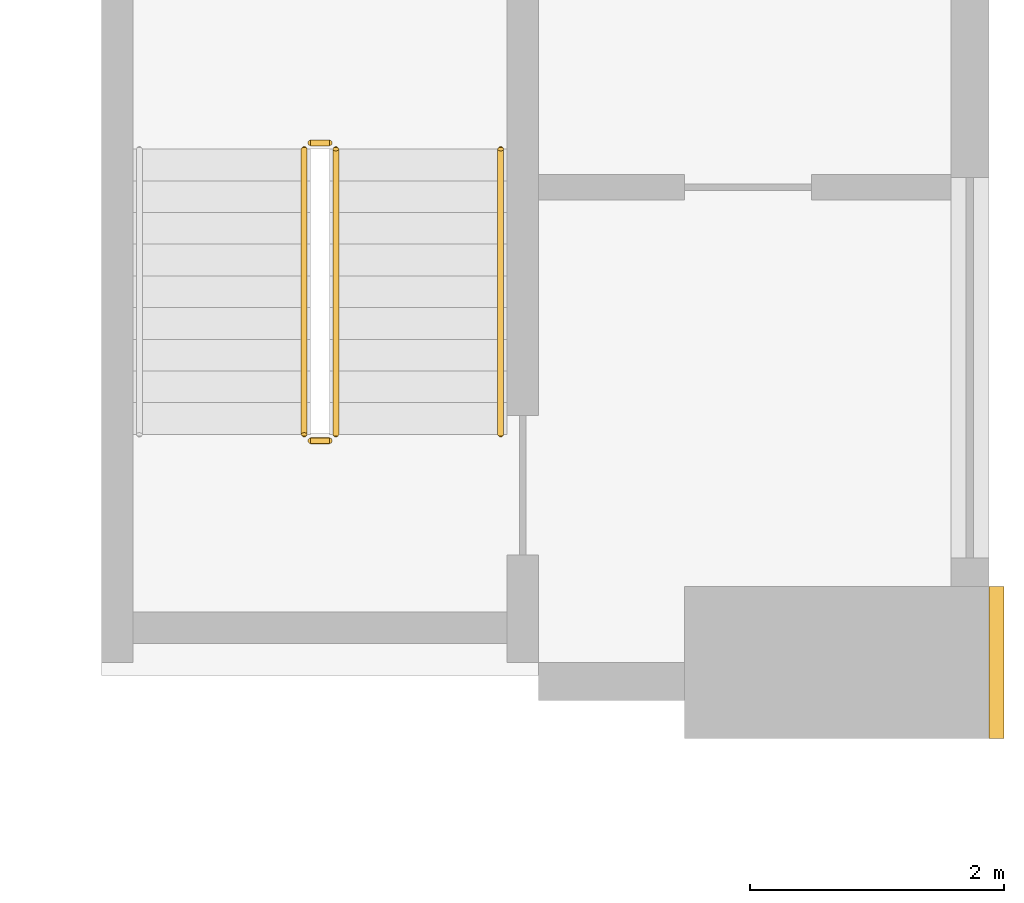
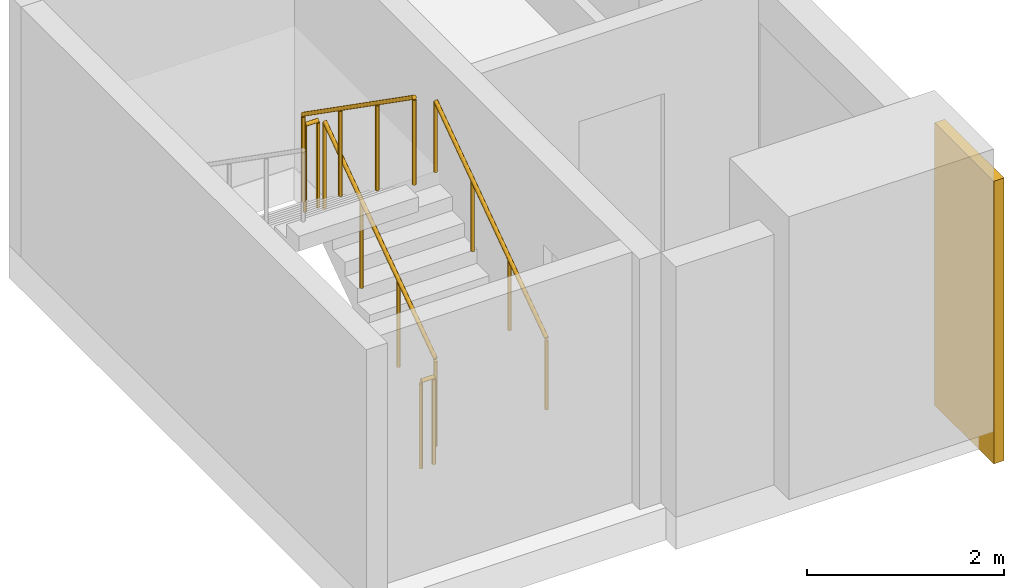
# One storey, part 8 of 9: 5 railings, 1 covering.
"""IFC4 building model written with IfcOpenShell, lengths in metres."""

from ifc_helpers import new_model, si_unit, direction, frame, origin, origin_2d, place, context, subcontext, project, spatial, rectangle, circle, extrude, source, transform, mapped, material, type_object, element, save


model = new_model("IFC4")

# Units and contexts
model_context = context("Model", 3, precision=1e-05, world=origin(), true_north=direction((0.0, 1.0)))
body_context = subcontext(model_context, "Body", "Model", "MODEL_VIEW")
ifc_project = project(units=[si_unit("LENGTHUNIT", "METRE"), si_unit("AREAUNIT", "SQUARE_METRE"), si_unit("VOLUMEUNIT", "CUBIC_METRE"), si_unit("PLANEANGLEUNIT", "RADIAN"), si_unit("MASSUNIT", "GRAM", prefix="KILO")], contexts=[model_context])

# Site, building, storey
site_placement = place(None, origin())
site = spatial("IfcSite", under=ifc_project, at=site_placement, CompositionType="ELEMENT")
building_placement = place(site_placement, origin())
building = spatial("IfcBuilding", under=site, at=building_placement, Name="Aurelian Terraces", CompositionType="ELEMENT")
storey_placement = place(building_placement, frame((0.0, 0.0, 340.5)))
storey = spatial("IfcBuildingStorey", under=building, at=storey_placement, Name="L80", CompositionType="ELEMENT", Elevation=340.5)

# Covering
ifc_material_1 = material(Name="Terracotta rainscreen cladding relief", Category="masonry")
covering_type = type_object("IfcCoveringType", Name="BAGUETTE-TC", PredefinedType="CLADDING", material=ifc_material_1)
shared_shape_1 = source(origin(), body_context, "Body", "SweptSolid", [
    extrude(rectangle(XDim=0.12, YDim=1.2, at=origin_2d()), origin(), (0.0, 0.0, 1.0), 3.5),
])
covering_placement = place(storey_placement, frame((47.46, 0.3, -0.4), z_axis=(0.0, 0.0, 1.0), x_axis=(1.0, 0.0, 0.0)))
element("IfcCovering", 1, at=covering_placement, inside=storey, type_object=covering_type, Name="BAGUETTE pier L80 2", PredefinedType="CLADDING", context=body_context, shape_type="MappedRepresentation", body=[
    mapped(shared_shape_1, transform((0.0, 0.0, 0.0), scale=1.0)),
])

# Railings
ifc_material_2 = material(Name="Stainless steel", Category="steel")
railing_type_1 = type_object("IfcRailingType", Name="Stair guard 1100", PredefinedType="GUARDRAIL", material=ifc_material_2)
shared_shape_2 = source(origin(), body_context, "Body", "SweptSolid", [
    extrude(circle(Radius=0.024, at=origin_2d()), frame((0.0, 0.0, 1.076), z_axis=(-1.0, 0.0, 0.0), x_axis=(0.0, -1.0, 0.0)), (0.0, 0.0, 1.0), 0.15),
    extrude(circle(Radius=0.021, at=origin_2d()), origin(), (0.0, 0.0, 1.0), 1.052),
    extrude(circle(Radius=0.021, at=origin_2d()), frame((-0.15, 0.0, 0.0)), (0.0, 0.0, 1.0), 1.052),
])
for number, where, name in (
    (2, (42.2, 4.4, 1.75), "L80 S2 stair guard 2"),
    (3, (42.2, 2.05, 0.0), "L80 S2 stair guard 4"),
):
    element("IfcRailing", number, at=place(storey_placement, frame(where)), inside=storey, type_object=railing_type_1, Name=name, PredefinedType="GUARDRAIL", context=body_context, shape_type="MappedRepresentation", body=[
        mapped(shared_shape_2, transform((0.0, 0.0, 0.0), scale=1.0)),
    ])
shared_shape_3 = source(origin(), body_context, "Body", "SweptSolid", [
    extrude(circle(Radius=0.024, at=origin_2d()), frame((0.0, 0.0, 1.076), z_axis=(0.0, 0.819231920519, 0.573462344363), x_axis=(-1.0, 0.0, 0.0)), (0.0, 0.0, 1.0), 2.7465),
    extrude(circle(Radius=0.021, at=origin_2d()), origin(), (0.0, 0.0, 1.0), 1.052),
    extrude(circle(Radius=0.021, at=origin_2d()), frame((0.0, 0.75, 0.525)), (0.0, 0.0, 1.0), 1.052),
    extrude(circle(Radius=0.021, at=origin_2d()), frame((0.0, 1.5, 1.05)), (0.0, 0.0, 1.0), 1.052),
    extrude(circle(Radius=0.021, at=origin_2d()), frame((0.0, 2.25, 1.575)), (0.0, 0.0, 1.0), 1.052),
])
railing_1_placement = place(storey_placement, frame((42.25, 2.1, 0.175)))
element("IfcRailing", 4, at=railing_1_placement, inside=storey, type_object=railing_type_1, Name="L80 S2 stair guard 1", PredefinedType="GUARDRAIL", context=body_context, shape_type="MappedRepresentation", body=[
    mapped(shared_shape_3, transform((0.0, 0.0, 0.0), scale=1.0)),
])
shared_shape_4 = source(origin(), body_context, "Body", "SweptSolid", [
    extrude(circle(Radius=0.024, at=origin_2d()), frame((0.0, 0.0, 1.076), z_axis=(0.0, -0.819231920519, 0.573462344363), x_axis=(1.0, 0.0, 0.0)), (0.0, 0.0, 1.0), 2.7465),
    extrude(circle(Radius=0.021, at=origin_2d()), origin(), (0.0, 0.0, 1.0), 1.052),
    extrude(circle(Radius=0.021, at=origin_2d()), frame((0.0, -0.75, 0.525)), (0.0, 0.0, 1.0), 1.052),
    extrude(circle(Radius=0.021, at=origin_2d()), frame((0.0, -1.5, 1.05)), (0.0, 0.0, 1.0), 1.052),
    extrude(circle(Radius=0.021, at=origin_2d()), frame((0.0, -2.25, 1.575)), (0.0, 0.0, 1.0), 1.052),
])
railing_2_placement = place(storey_placement, frame((42.0, 4.35, 1.925)))
element("IfcRailing", 5, at=railing_2_placement, inside=storey, type_object=railing_type_1, Name="L80 S2 stair guard 3", PredefinedType="GUARDRAIL", context=body_context, shape_type="MappedRepresentation", body=[
    mapped(shared_shape_4, transform((0.0, 0.0, 0.0), scale=1.0)),
])
railing_type_2 = type_object("IfcRailingType", Name="Stair handrail", PredefinedType="HANDRAIL", material=ifc_material_2)
shared_shape_5 = source(origin(), body_context, "Body", "SweptSolid", [
    extrude(circle(Radius=0.024, at=origin_2d()), frame((0.0, 0.0, 0.876), z_axis=(0.0, 0.819231920519, 0.573462344363), x_axis=(-1.0, 0.0, 0.0)), (0.0, 0.0, 1.0), 2.7465),
    extrude(circle(Radius=0.021, at=origin_2d()), origin(), (0.0, 0.0, 1.0), 0.852),
    extrude(circle(Radius=0.021, at=origin_2d()), frame((0.0, 0.75, 0.525)), (0.0, 0.0, 1.0), 0.852),
    extrude(circle(Radius=0.021, at=origin_2d()), frame((0.0, 1.5, 1.05)), (0.0, 0.0, 1.0), 0.852),
    extrude(circle(Radius=0.021, at=origin_2d()), frame((0.0, 2.25, 1.575)), (0.0, 0.0, 1.0), 0.852),
])
railing_3_placement = place(storey_placement, frame((43.55, 2.1, 0.175)))
element("IfcRailing", 6, at=railing_3_placement, inside=storey, type_object=railing_type_2, Name="L80 S2 stair handrail 1", PredefinedType="HANDRAIL", context=body_context, shape_type="MappedRepresentation", body=[
    mapped(shared_shape_5, transform((0.0, 0.0, 0.0), scale=1.0)),
])

save(model, "model.ifc")
